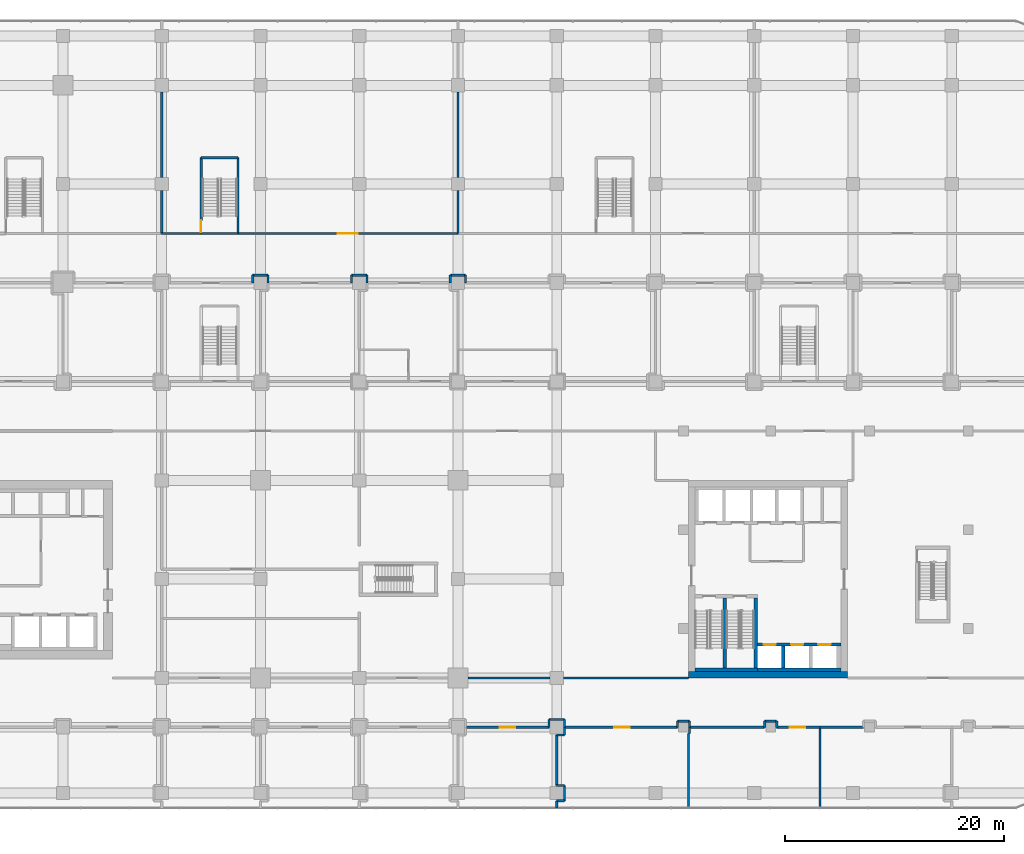
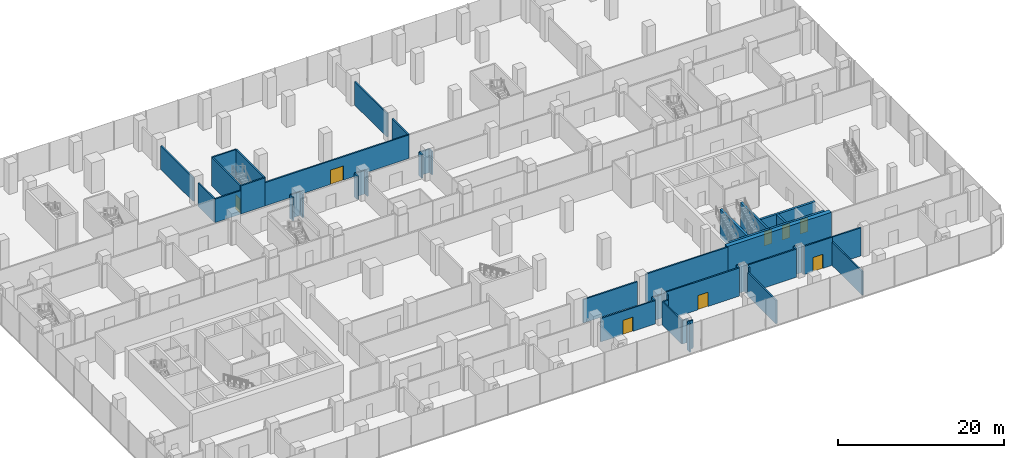
# One storey, part 33 of 43: 52 walls, 8 doors, 8 openings.
"""IFC4 building model written with IfcOpenShell, lengths in metres."""

from ifc_helpers import new_model, si_unit, direction, frame, frame_2d, origin, place, context, subcontext, project, spatial, rectangle, extrude, material, layer, layer_set, type_object, element, fill, save


model = new_model("IFC4")

# Units and contexts
model_context = context("Model", 3, precision=1e-05, world=origin(), true_north=direction((0.0, 1.0)))
body_context = subcontext(model_context, "Body", "Model", "MODEL_VIEW")
ifc_project = project(units=[si_unit("LENGTHUNIT", "METRE"), si_unit("AREAUNIT", "SQUARE_METRE"), si_unit("VOLUMEUNIT", "CUBIC_METRE"), si_unit("PLANEANGLEUNIT", "RADIAN"), si_unit("MASSUNIT", "GRAM", prefix="KILO")], contexts=[model_context])

# Site, building, storey
site_placement = place(None, origin())
site = spatial("IfcSite", under=ifc_project, at=site_placement, CompositionType="ELEMENT")
building_placement = place(site_placement, origin())
building = spatial("IfcBuilding", under=site, at=building_placement, Name="Plateau Cross Towers", CompositionType="ELEMENT")
storey_placement = place(building_placement, frame((0.0, 0.0, 12.800048828125)))
storey = spatial("IfcBuildingStorey", under=building, at=storey_placement, Name="L02", CompositionType="ELEMENT", Elevation=12.800048828125)

# Walls
ifc_material_1 = material(Name="Concrete C60/75", Category="concrete")
ifc_layer_1 = layer(ifc_material_1, 0.300048828125)
ifc_layer_set_1 = layer_set([ifc_layer_1], Name="Concrete C60/75")
wall_type_1 = type_object("IfcWallType", Name="Core shaft wall 300", PredefinedType="SHEAR", material=ifc_layer_set_1)
wall_1_placement = place(storey_placement, frame((75.60009765625, 0.75, 0.0), z_axis=(0.0, 0.0, 1.0), x_axis=(1.0, 0.0, 0.0)))
element("IfcWall", 1, at=wall_1_placement, inside=storey, type_object=wall_type_1, Name="B-sb-stS@L02", PredefinedType="SHEAR", context=body_context, shape_type="SweptSolid", body=[
    extrude(rectangle(XDim=5.699951171875, YDim=0.300048828125, at=frame_2d((2.85009765625, 0.0))), origin(), (0.0, 0.0, 1.0), 4.14990234375),
])
for number, where, z_axis, x_axis, name in (
    (2, (78.300048828125, 0.89990234375, 0.0), (0.0, 0.0, 1.0), (0.0, 1.0, 0.0), "B-sb-st1@L02"),
    (3, (81.14990234375, 0.89990234375, 0.0), (0.0, 0.0, 1.0), (0.0, 1.0, 0.0), "B-sb-st2@L02"),
):
    element("IfcWall", number, at=place(storey_placement, frame(where, z_axis=z_axis, x_axis=x_axis)), inside=storey, type_object=wall_type_1, Name=name, PredefinedType="SHEAR", context=body_context, shape_type="SweptSolid", body=[
        extrude(rectangle(XDim=6.400146484375, YDim=0.300048828125, at=frame_2d((3.2001953125, 0.0))), origin(), (0.0, 0.0, 1.0), 4.14990234375),
    ])
wall_2_placement = place(storey_placement, frame((81.300048828125, 0.75, 0.0), z_axis=(0.0, 0.0, 1.0), x_axis=(1.0, 0.0, 0.0)))
element("IfcWall", 4, at=wall_2_placement, inside=storey, type_object=wall_type_1, Name="B-sb-back@L02", PredefinedType="SHEAR", context=body_context, shape_type="SweptSolid", body=[
    extrude(rectangle(XDim=7.599853515625, YDim=0.300048828125, at=frame_2d((3.7998046875, 0.0))), origin(), (0.0, 0.0, 1.0), 4.14990234375),
])
wall_3_placement = place(storey_placement, frame((83.64990234375, 0.89990234375, 0.0), z_axis=(0.0, 0.0, 1.0), x_axis=(0.0, 1.0, 0.0)))
element("IfcWall", 5, at=wall_3_placement, inside=storey, type_object=wall_type_1, Name="B-sb-v1@L02", PredefinedType="SHEAR", context=body_context, shape_type="SweptSolid", body=[
    extrude(rectangle(XDim=2.0, YDim=0.300048828125, at=frame_2d((1.0, 0.0))), origin(), (0.0, 0.0, 1.0), 4.14990234375),
])

# Wall, openings, doors
wall_4_placement = place(storey_placement, frame((81.300048828125, 3.050048828125, 0.0), z_axis=(0.0, 0.0, 1.0), x_axis=(1.0, 0.0, 0.0)))
wall_4 = element("IfcWall", 6, at=wall_4_placement, inside=storey, type_object=wall_type_1, Name="B-sb-front@L02", PredefinedType="SHEAR", context=body_context, shape_type="SweptSolid", body=[
    extrude(rectangle(XDim=7.599853515625, YDim=0.300048828125, at=frame_2d((3.7998046875, 0.0))), origin(), (0.0, 0.0, 1.0), 4.14990234375),
])
opening_1_placement = place(wall_4_placement, frame((0.550048828125, 0.0, 0.0)))
opening_1 = element("IfcOpeningElement", 7, at=opening_1_placement, cuts=wall_4, Name="Opening LD", PredefinedType="OPENING", context=body_context, shape_type="SweptSolid", body=[
    extrude(rectangle(XDim=1.10009765625, YDim=2.10009765625, at=frame_2d((0.550048828125, 1.050048828125))), frame((0.0, 0.159912109375, 0.0), z_axis=(0.0, -1.0, 0.0), x_axis=(1.0, 0.0, 0.0)), (0.0, 0.0, 1.0), 0.320068359375),
])
opening_2_placement = place(wall_4_placement, frame((3.050048828125, 0.0, 0.0)))
opening_2 = element("IfcOpeningElement", 8, at=opening_2_placement, cuts=wall_4, Name="Opening LD", PredefinedType="OPENING", context=body_context, shape_type="SweptSolid", body=[
    extrude(rectangle(XDim=1.10009765625, YDim=2.10009765625, at=frame_2d((0.550048828125, 1.050048828125))), frame((0.0, 0.159912109375, 0.0), z_axis=(0.0, -1.0, 0.0), x_axis=(1.0, 0.0, 0.0)), (0.0, 0.0, 1.0), 0.320068359375),
])
opening_3_placement = place(wall_4_placement, frame((5.550048828125, 0.0, 0.0)))
opening_3 = element("IfcOpeningElement", 9, at=opening_3_placement, cuts=wall_4, Name="Opening LD", PredefinedType="OPENING", context=body_context, shape_type="SweptSolid", body=[
    extrude(rectangle(XDim=1.10009765625, YDim=2.10009765625, at=frame_2d((0.550048828125, 1.050048828125))), frame((0.0, 0.159912109375, 0.0), z_axis=(0.0, -1.0, 0.0), x_axis=(1.0, 0.0, 0.0)), (0.0, 0.0, 1.0), 0.320068359375),
])
ifc_material_2 = material(Name="Stainless steel, fire-resisting sliding leaves", Category="steel")
door_type_1 = type_object("IfcDoorType", Name="Lift landing door 1100", OperationType="NOTDEFINED", PredefinedType="DOOR", material=ifc_material_2)
door_1_placement = place(opening_1_placement, origin())
door_1 = element("IfcDoor", 10, at=door_1_placement, inside=storey, type_object=door_type_1, Name="Lift landing door LD", OperationType="DOUBLE_DOOR_SLIDING", OverallHeight=2.10009765625, OverallWidth=1.10009765625, PredefinedType="DOOR", context=body_context, shape_type="SweptSolid", body=[
    extrude(rectangle(XDim=1.10009765625, YDim=2.10009765625, at=frame_2d((0.550048828125, 1.050048828125))), frame((0.0, 0.02490234375, 0.0), z_axis=(0.0, -1.0, 0.0), x_axis=(1.0, 0.0, 0.0)), (0.0, 0.0, 1.0), 0.050048828125),
])
fill(opening_1, door_1)
door_2_placement = place(opening_2_placement, origin())
door_2 = element("IfcDoor", 11, at=door_2_placement, inside=storey, type_object=door_type_1, Name="Lift landing door LD", OperationType="DOUBLE_DOOR_SLIDING", OverallHeight=2.10009765625, OverallWidth=1.10009765625, PredefinedType="DOOR", context=body_context, shape_type="SweptSolid", body=[
    extrude(rectangle(XDim=1.10009765625, YDim=2.10009765625, at=frame_2d((0.550048828125, 1.050048828125))), frame((0.0, 0.02490234375, 0.0), z_axis=(0.0, -1.0, 0.0), x_axis=(1.0, 0.0, 0.0)), (0.0, 0.0, 1.0), 0.050048828125),
])
fill(opening_2, door_2)
door_3_placement = place(opening_3_placement, origin())
door_3 = element("IfcDoor", 12, at=door_3_placement, inside=storey, type_object=door_type_1, Name="Lift landing door LD", OperationType="DOUBLE_DOOR_SLIDING", OverallHeight=2.10009765625, OverallWidth=1.10009765625, PredefinedType="DOOR", context=body_context, shape_type="SweptSolid", body=[
    extrude(rectangle(XDim=1.10009765625, YDim=2.10009765625, at=frame_2d((0.550048828125, 1.050048828125))), frame((0.0, 0.02490234375, 0.0), z_axis=(0.0, -1.0, 0.0), x_axis=(1.0, 0.0, 0.0)), (0.0, 0.0, 1.0), 0.050048828125),
])
fill(opening_3, door_3)

# Walls
ifc_layer_2 = layer(ifc_material_1, 0.60009765625)
ifc_layer_set_2 = layer_set([ifc_layer_2], Name="Concrete C60/75")
wall_type_2 = type_object("IfcWallType", Name="Core shell wall 600", PredefinedType="SHEAR", material=ifc_layer_set_2)
wall_5_placement = place(storey_placement, frame((75.0, 0.300048828125, 0.0), z_axis=(0.0, 0.0, 1.0), x_axis=(1.0, 0.0, 0.0)))
element("IfcWall", 13, at=wall_5_placement, inside=storey, type_object=wall_type_2, Name="B-core-S@L02", PredefinedType="SHEAR", context=body_context, shape_type="SweptSolid", body=[
    extrude(rectangle(XDim=14.5, YDim=0.60009765625, at=frame_2d((7.25, 0.0))), origin(), (0.0, 0.0, 1.0), 4.14990234375),
])
ifc_material_3 = material(Name="Gypsum board on steel studs", Category="steel")
ifc_layer_3 = layer(ifc_material_3, 0.199951171875)
ifc_layer_set_3 = layer_set([ifc_layer_3], Name="Gypsum board on steel studs")
wall_type_3 = type_object("IfcWallType", Name="Podium partition 200", PredefinedType="PARTITIONING", material=ifc_layer_set_3)
wall_6_placement = place(storey_placement, frame((54.89990234375, 0.0, 0.0), z_axis=(0.0, 0.0, 1.0), x_axis=(1.0, 0.0, 0.0)))
element("IfcWall", 14, at=wall_6_placement, inside=storey, type_object=wall_type_3, Name="Partition wall", PredefinedType="PARTITIONING", context=body_context, shape_type="SweptSolid", body=[
    extrude(rectangle(XDim=7.5, YDim=0.199951171875, at=frame_2d((3.75, 0.0))), origin(), (0.0, 0.0, 1.0), 3.449951171875),
])
wall_7_placement = place(storey_placement, frame((63.60009765625, 0.0, 0.0), z_axis=(0.0, 0.0, 1.0), x_axis=(1.0, 0.0, 0.0)))
element("IfcWall", 15, at=wall_7_placement, inside=storey, type_object=wall_type_3, Name="Partition wall", PredefinedType="PARTITIONING", context=body_context, shape_type="SweptSolid", body=[
    extrude(rectangle(XDim=11.39990234375, YDim=0.199951171875, at=frame_2d((5.699951171875, 0.0))), origin(), (0.0, 0.0, 1.0), 4.14990234375),
])
wall_8_placement = place(storey_placement, frame((54.699951171875, 36.0, 0.0), z_axis=(0.0, 0.0, 1.0), x_axis=(0.0, 1.0, 0.0)))
element("IfcWall", 16, at=wall_8_placement, inside=storey, type_object=wall_type_3, Name="Partition wall", PredefinedType="PARTITIONING", context=body_context, shape_type="SweptSolid", body=[
    extrude(rectangle(XDim=0.699951171875, YDim=0.199951171875, at=frame_2d((0.35009765625, 0.0))), origin(), (0.0, 0.0, 1.0), 3.449951171875),
])
wall_9_placement = place(storey_placement, frame((54.699951171875, 36.699951171875, 0.0), z_axis=(0.0, 0.0, 1.0), x_axis=(-1.0, 0.0, 0.0)))
element("IfcWall", 17, at=wall_9_placement, inside=storey, type_object=wall_type_3, Name="Partition wall", PredefinedType="PARTITIONING", context=body_context, shape_type="SweptSolid", body=[
    extrude(rectangle(XDim=1.39990234375, YDim=0.199951171875, at=frame_2d((0.699951171875, 0.0))), origin(), (0.0, 0.0, 1.0), 3.449951171875),
])
wall_10_placement = place(storey_placement, frame((53.300048828125, 36.699951171875, 0.0), z_axis=(0.0, 0.0, 1.0), x_axis=(0.0, -1.0, 0.0)))
element("IfcWall", 18, at=wall_10_placement, inside=storey, type_object=wall_type_3, Name="Partition wall", PredefinedType="PARTITIONING", context=body_context, shape_type="SweptSolid", body=[
    extrude(rectangle(XDim=0.699951171875, YDim=0.199951171875, at=frame_2d((0.35009765625, 0.0))), origin(), (0.0, 0.0, 1.0), 3.449951171875),
])

# Wall, opening, door
wall_11_placement = place(storey_placement, frame((33.949951171875, 40.5, 0.0), z_axis=(0.0, 0.0, 1.0), x_axis=(1.0, 0.0, 0.0)))
wall_11 = element("IfcWall", 19, at=wall_11_placement, inside=storey, type_object=wall_type_3, Name="Partition wall", PredefinedType="PARTITIONING", context=body_context, shape_type="SweptSolid", body=[
    extrude(rectangle(XDim=20.050048828125, YDim=0.199951171875, at=frame_2d((10.02490234375, 0.0))), origin(), (0.0, 0.0, 1.0), 3.449951171875),
])
opening_4_placement = place(wall_11_placement, frame((9.10009765625, 0.0, 0.0)))
opening_4 = element("IfcOpeningElement", 20, at=opening_4_placement, cuts=wall_11, Name="Opening 02-38", PredefinedType="OPENING", context=body_context, shape_type="SweptSolid", body=[
    extrude(rectangle(XDim=1.800048828125, YDim=2.10009765625, at=frame_2d((0.89990234375, 1.050048828125))), frame((0.0, 0.10986328125, 0.0), z_axis=(0.0, -1.0, 0.0), x_axis=(1.0, 0.0, 0.0)), (0.0, 0.0, 1.0), 0.219970703125),
])
ifc_material_4 = material(Name="Aluminium frame, toughened glass", Category="aluminium")
door_type_2 = type_object("IfcDoorType", Name="Podium door pair 1800", OperationType="NOTDEFINED", PredefinedType="DOOR", material=ifc_material_4)
door_4_placement = place(opening_4_placement, origin())
door_4 = element("IfcDoor", 21, at=door_4_placement, inside=storey, type_object=door_type_2, Name="Door 02-38", OperationType="DOUBLE_DOOR_SINGLE_SWING", OverallHeight=2.10009765625, OverallWidth=1.800048828125, PredefinedType="DOOR", context=body_context, shape_type="SweptSolid", body=[
    extrude(rectangle(XDim=1.800048828125, YDim=2.10009765625, at=frame_2d((0.89990234375, 1.050048828125))), frame((0.0, 0.02490234375, 0.0), z_axis=(0.0, -1.0, 0.0), x_axis=(1.0, 0.0, 0.0)), (0.0, 0.0, 1.0), 0.050048828125),
])
fill(opening_4, door_4)

# Walls
wall_12_placement = place(storey_placement, frame((54.0, 53.39990234375, 0.0), z_axis=(0.0, 0.0, 1.0), x_axis=(0.0, -1.0, 0.0)))
element("IfcWall", 22, at=wall_12_placement, inside=storey, type_object=wall_type_3, Name="Partition wall", PredefinedType="PARTITIONING", context=body_context, shape_type="SweptSolid", body=[
    extrude(rectangle(XDim=7.7998046875, YDim=0.199951171875, at=frame_2d((3.89990234375, 0.0))), origin(), (0.0, 0.0, 1.0), 3.449951171875),
])
wall_13_placement = place(storey_placement, frame((54.0, 44.39990234375, 0.0), z_axis=(0.0, 0.0, 1.0), x_axis=(0.0, -1.0, 0.0)))
element("IfcWall", 23, at=wall_13_placement, inside=storey, type_object=wall_type_3, Name="Partition wall", PredefinedType="PARTITIONING", context=body_context, shape_type="SweptSolid", body=[
    extrude(rectangle(XDim=3.89990234375, YDim=0.199951171875, at=frame_2d((1.949951171875, 0.0))), origin(), (0.0, 0.0, 1.0), 3.449951171875),
])
wall_14_placement = place(storey_placement, frame((27.0, 53.39990234375, 0.0), z_axis=(0.0, 0.0, 1.0), x_axis=(0.0, -1.0, 0.0)))
element("IfcWall", 24, at=wall_14_placement, inside=storey, type_object=wall_type_3, Name="Partition wall", PredefinedType="PARTITIONING", context=body_context, shape_type="SweptSolid", body=[
    extrude(rectangle(XDim=7.7998046875, YDim=0.199951171875, at=frame_2d((3.89990234375, 0.0))), origin(), (0.0, 0.0, 1.0), 3.449951171875),
])
wall_15_placement = place(storey_placement, frame((27.0, 44.39990234375, 0.0), z_axis=(0.0, 0.0, 1.0), x_axis=(0.0, -1.0, 0.0)))
element("IfcWall", 25, at=wall_15_placement, inside=storey, type_object=wall_type_3, Name="Partition wall", PredefinedType="PARTITIONING", context=body_context, shape_type="SweptSolid", body=[
    extrude(rectangle(XDim=3.89990234375, YDim=0.199951171875, at=frame_2d((1.949951171875, 0.0))), origin(), (0.0, 0.0, 1.0), 3.449951171875),
])
wall_16_placement = place(storey_placement, frame((36.699951171875, 36.0, 0.0), z_axis=(0.0, 0.0, 1.0), x_axis=(0.0, 1.0, 0.0)))
element("IfcWall", 26, at=wall_16_placement, inside=storey, type_object=wall_type_3, Name="Partition wall", PredefinedType="PARTITIONING", context=body_context, shape_type="SweptSolid", body=[
    extrude(rectangle(XDim=0.699951171875, YDim=0.199951171875, at=frame_2d((0.35009765625, 0.0))), origin(), (0.0, 0.0, 1.0), 3.449951171875),
])
wall_17_placement = place(storey_placement, frame((36.699951171875, 36.699951171875, 0.0), z_axis=(0.0, 0.0, 1.0), x_axis=(-1.0, 0.0, 0.0)))
element("IfcWall", 27, at=wall_17_placement, inside=storey, type_object=wall_type_3, Name="Partition wall", PredefinedType="PARTITIONING", context=body_context, shape_type="SweptSolid", body=[
    extrude(rectangle(XDim=1.39990234375, YDim=0.199951171875, at=frame_2d((0.699951171875, 0.0))), origin(), (0.0, 0.0, 1.0), 3.449951171875),
])
wall_18_placement = place(storey_placement, frame((35.300048828125, 36.699951171875, 0.0), z_axis=(0.0, 0.0, 1.0), x_axis=(0.0, -1.0, 0.0)))
element("IfcWall", 28, at=wall_18_placement, inside=storey, type_object=wall_type_3, Name="Partition wall", PredefinedType="PARTITIONING", context=body_context, shape_type="SweptSolid", body=[
    extrude(rectangle(XDim=0.699951171875, YDim=0.199951171875, at=frame_2d((0.35009765625, 0.0))), origin(), (0.0, 0.0, 1.0), 3.449951171875),
])
wall_19_placement = place(storey_placement, frame((90.949951171875, -4.5, 0.0), z_axis=(0.0, 0.0, 1.0), x_axis=(-1.0, 0.0, 0.0)))
element("IfcWall", 29, at=wall_19_placement, inside=storey, type_object=wall_type_3, Name="Partition wall", PredefinedType="PARTITIONING", context=body_context, shape_type="SweptSolid", body=[
    extrude(rectangle(XDim=3.949951171875, YDim=0.199951171875, at=frame_2d((1.97509765625, 0.0))), origin(), (0.0, 0.0, 1.0), 4.14990234375),
])

# Wall, opening, door
wall_20_placement = place(storey_placement, frame((87.0, -4.5, 0.0), z_axis=(0.0, 0.0, 1.0), x_axis=(-1.0, 0.0, 0.0)))
wall_20 = element("IfcWall", 30, at=wall_20_placement, inside=storey, type_object=wall_type_3, Name="Partition wall", PredefinedType="PARTITIONING", context=body_context, shape_type="SweptSolid", body=[
    extrude(rectangle(XDim=3.949951171875, YDim=0.199951171875, at=frame_2d((1.97509765625, 0.0))), origin(), (0.0, 0.0, 1.0), 4.14990234375),
])
opening_5_placement = place(wall_20_placement, frame((1.35009765625, 0.0, 0.0)))
opening_5 = element("IfcOpeningElement", 31, at=opening_5_placement, cuts=wall_20, Name="Opening 02-15", PredefinedType="OPENING", context=body_context, shape_type="SweptSolid", body=[
    extrude(rectangle(XDim=1.39990234375, YDim=2.10009765625, at=frame_2d((0.699951171875, 1.050048828125))), frame((0.0, 0.10986328125, 0.0), z_axis=(0.0, -1.0, 0.0), x_axis=(1.0, 0.0, 0.0)), (0.0, 0.0, 1.0), 0.219970703125),
])
ifc_material_5 = material(Name="Timber, hospital grade leaf", Category="wood")
door_type_3 = type_object("IfcDoorType", Name="Clinic bed access door 1400x2100", OperationType="NOTDEFINED", PredefinedType="DOOR", material=ifc_material_5)
door_5_placement = place(opening_5_placement, origin())
door_5 = element("IfcDoor", 32, at=door_5_placement, inside=storey, type_object=door_type_3, Name="Door 02-15", OperationType="SINGLE_SWING_LEFT", OverallHeight=2.10009765625, OverallWidth=1.39990234375, PredefinedType="DOOR", context=body_context, shape_type="SweptSolid", body=[
    extrude(rectangle(XDim=1.39990234375, YDim=2.10009765625, at=frame_2d((0.699951171875, 1.050048828125))), frame((0.0, 0.02490234375, 0.0), z_axis=(0.0, -1.0, 0.0), x_axis=(1.0, 0.0, 0.0)), (0.0, 0.0, 1.0), 0.050048828125),
])
fill(opening_5, door_5)

# Walls
wall_21_placement = place(storey_placement, frame((83.050048828125, -4.5, 0.0), z_axis=(0.0, 0.0, 1.0), x_axis=(0.0, 1.0, 0.0)))
element("IfcWall", 33, at=wall_21_placement, inside=storey, type_object=wall_type_3, Name="Partition wall", PredefinedType="PARTITIONING", context=body_context, shape_type="SweptSolid", body=[
    extrude(rectangle(XDim=0.550048828125, YDim=0.199951171875, at=frame_2d((0.27490234375, 0.0))), origin(), (0.0, 0.0, 1.0), 4.14990234375),
])
wall_22_placement = place(storey_placement, frame((83.050048828125, -3.949951171875, 0.0), z_axis=(0.0, 0.0, 1.0), x_axis=(-1.0, 0.0, 0.0)))
element("IfcWall", 34, at=wall_22_placement, inside=storey, type_object=wall_type_3, Name="Partition wall", PredefinedType="PARTITIONING", context=body_context, shape_type="SweptSolid", body=[
    extrude(rectangle(XDim=1.10009765625, YDim=0.199951171875, at=frame_2d((0.550048828125, 0.0))), origin(), (0.0, 0.0, 1.0), 4.14990234375),
])
wall_23_placement = place(storey_placement, frame((81.949951171875, -3.949951171875, 0.0), z_axis=(0.0, 0.0, 1.0), x_axis=(0.0, -1.0, 0.0)))
element("IfcWall", 35, at=wall_23_placement, inside=storey, type_object=wall_type_3, Name="Partition wall", PredefinedType="PARTITIONING", context=body_context, shape_type="SweptSolid", body=[
    extrude(rectangle(XDim=0.550048828125, YDim=0.199951171875, at=frame_2d((0.27490234375, 0.0))), origin(), (0.0, 0.0, 1.0), 4.14990234375),
])
wall_24_placement = place(storey_placement, frame((81.949951171875, -4.5, 0.0), z_axis=(0.0, 0.0, 1.0), x_axis=(-1.0, 0.0, 0.0)))
element("IfcWall", 36, at=wall_24_placement, inside=storey, type_object=wall_type_3, Name="Partition wall", PredefinedType="PARTITIONING", context=body_context, shape_type="SweptSolid", body=[
    extrude(rectangle(XDim=6.849853515625, YDim=0.199951171875, at=frame_2d((3.4248046875, 0.0))), origin(), (0.0, 0.0, 1.0), 4.14990234375),
])
wall_25_placement = place(storey_placement, frame((75.10009765625, -4.5, 0.0), z_axis=(0.0, 0.0, 1.0), x_axis=(0.0, 1.0, 0.0)))
element("IfcWall", 37, at=wall_25_placement, inside=storey, type_object=wall_type_3, Name="Partition wall", PredefinedType="PARTITIONING", context=body_context, shape_type="SweptSolid", body=[
    extrude(rectangle(XDim=0.550048828125, YDim=0.199951171875, at=frame_2d((0.27490234375, 0.0))), origin(), (0.0, 0.0, 1.0), 4.14990234375),
])
wall_26_placement = place(storey_placement, frame((75.10009765625, -3.949951171875, 0.0), z_axis=(0.0, 0.0, 1.0), x_axis=(-1.0, 0.0, 0.0)))
element("IfcWall", 38, at=wall_26_placement, inside=storey, type_object=wall_type_3, Name="Partition wall", PredefinedType="PARTITIONING", context=body_context, shape_type="SweptSolid", body=[
    extrude(rectangle(XDim=1.10009765625, YDim=0.199951171875, at=frame_2d((0.550048828125, 0.0))), origin(), (0.0, 0.0, 1.0), 4.14990234375),
])
wall_27_placement = place(storey_placement, frame((74.0, -3.949951171875, 0.0), z_axis=(0.0, 0.0, 1.0), x_axis=(0.0, -1.0, 0.0)))
element("IfcWall", 39, at=wall_27_placement, inside=storey, type_object=wall_type_3, Name="Partition wall", PredefinedType="PARTITIONING", context=body_context, shape_type="SweptSolid", body=[
    extrude(rectangle(XDim=0.550048828125, YDim=0.199951171875, at=frame_2d((0.27490234375, 0.0))), origin(), (0.0, 0.0, 1.0), 4.14990234375),
])

# Wall, opening, door
wall_28_placement = place(storey_placement, frame((74.0, -4.5, 0.0), z_axis=(0.0, 0.0, 1.0), x_axis=(-1.0, 0.0, 0.0)))
wall_28 = element("IfcWall", 40, at=wall_28_placement, inside=storey, type_object=wall_type_3, Name="Partition wall", PredefinedType="PARTITIONING", context=body_context, shape_type="SweptSolid", body=[
    extrude(rectangle(XDim=10.300048828125, YDim=0.199951171875, at=frame_2d((5.14990234375, 0.0))), origin(), (0.0, 0.0, 1.0), 4.14990234375),
])
opening_6_placement = place(wall_28_placement, frame((4.35009765625, 0.0, 0.0)))
opening_6 = element("IfcOpeningElement", 41, at=opening_6_placement, cuts=wall_28, Name="Opening 02-14", PredefinedType="OPENING", context=body_context, shape_type="SweptSolid", body=[
    extrude(rectangle(XDim=1.39990234375, YDim=2.10009765625, at=frame_2d((0.699951171875, 1.050048828125))), frame((0.0, 0.10986328125, 0.0), z_axis=(0.0, -1.0, 0.0), x_axis=(1.0, 0.0, 0.0)), (0.0, 0.0, 1.0), 0.219970703125),
])
door_6_placement = place(opening_6_placement, origin())
door_6 = element("IfcDoor", 42, at=door_6_placement, inside=storey, type_object=door_type_3, Name="Door 02-14", OperationType="SINGLE_SWING_LEFT", OverallHeight=2.10009765625, OverallWidth=1.39990234375, PredefinedType="DOOR", context=body_context, shape_type="SweptSolid", body=[
    extrude(rectangle(XDim=1.39990234375, YDim=2.10009765625, at=frame_2d((0.699951171875, 1.050048828125))), frame((0.0, 0.02490234375, 0.0), z_axis=(0.0, -1.0, 0.0), x_axis=(1.0, 0.0, 0.0)), (0.0, 0.0, 1.0), 0.050048828125),
])
fill(opening_6, door_6)

# Walls
wall_29_placement = place(storey_placement, frame((45.699951171875, 36.0, 0.0), z_axis=(0.0, 0.0, 1.0), x_axis=(0.0, 1.0, 0.0)))
element("IfcWall", 43, at=wall_29_placement, inside=storey, type_object=wall_type_3, Name="Partition wall", PredefinedType="PARTITIONING", context=body_context, shape_type="SweptSolid", body=[
    extrude(rectangle(XDim=0.699951171875, YDim=0.199951171875, at=frame_2d((0.35009765625, 0.0))), origin(), (0.0, 0.0, 1.0), 3.449951171875),
])
wall_30_placement = place(storey_placement, frame((45.699951171875, 36.699951171875, 0.0), z_axis=(0.0, 0.0, 1.0), x_axis=(-1.0, 0.0, 0.0)))
element("IfcWall", 44, at=wall_30_placement, inside=storey, type_object=wall_type_3, Name="Partition wall", PredefinedType="PARTITIONING", context=body_context, shape_type="SweptSolid", body=[
    extrude(rectangle(XDim=1.39990234375, YDim=0.199951171875, at=frame_2d((0.699951171875, 0.0))), origin(), (0.0, 0.0, 1.0), 3.449951171875),
])
wall_31_placement = place(storey_placement, frame((44.300048828125, 36.699951171875, 0.0), z_axis=(0.0, 0.0, 1.0), x_axis=(0.0, -1.0, 0.0)))
element("IfcWall", 45, at=wall_31_placement, inside=storey, type_object=wall_type_3, Name="Partition wall", PredefinedType="PARTITIONING", context=body_context, shape_type="SweptSolid", body=[
    extrude(rectangle(XDim=0.699951171875, YDim=0.199951171875, at=frame_2d((0.35009765625, 0.0))), origin(), (0.0, 0.0, 1.0), 3.449951171875),
])
wall_32_placement = place(storey_placement, frame((63.699951171875, -4.5, 0.0), z_axis=(0.0, 0.0, 1.0), x_axis=(0.0, 1.0, 0.0)))
element("IfcWall", 46, at=wall_32_placement, inside=storey, type_object=wall_type_3, Name="Partition wall", PredefinedType="PARTITIONING", context=body_context, shape_type="SweptSolid", body=[
    extrude(rectangle(XDim=0.699951171875, YDim=0.199951171875, at=frame_2d((0.35009765625, 0.0))), origin(), (0.0, 0.0, 1.0), 4.14990234375),
])
wall_33_placement = place(storey_placement, frame((63.699951171875, -3.800048828125, 0.0), z_axis=(0.0, 0.0, 1.0), x_axis=(-1.0, 0.0, 0.0)))
element("IfcWall", 47, at=wall_33_placement, inside=storey, type_object=wall_type_3, Name="Partition wall", PredefinedType="PARTITIONING", context=body_context, shape_type="SweptSolid", body=[
    extrude(rectangle(XDim=1.39990234375, YDim=0.199951171875, at=frame_2d((0.699951171875, 0.0))), origin(), (0.0, 0.0, 1.0), 3.449951171875),
])
wall_34_placement = place(storey_placement, frame((62.300048828125, -3.800048828125, 0.0), z_axis=(0.0, 0.0, 1.0), x_axis=(0.0, -1.0, 0.0)))
element("IfcWall", 48, at=wall_34_placement, inside=storey, type_object=wall_type_3, Name="Partition wall", PredefinedType="PARTITIONING", context=body_context, shape_type="SweptSolid", body=[
    extrude(rectangle(XDim=0.699951171875, YDim=0.199951171875, at=frame_2d((0.35009765625, 0.0))), origin(), (0.0, 0.0, 1.0), 3.449951171875),
])

# Wall, opening, door
wall_35_placement = place(storey_placement, frame((62.300048828125, -4.5, 0.0), z_axis=(0.0, 0.0, 1.0), x_axis=(-1.0, 0.0, 0.0)))
wall_35 = element("IfcWall", 49, at=wall_35_placement, inside=storey, type_object=wall_type_3, Name="Partition wall", PredefinedType="PARTITIONING", context=body_context, shape_type="SweptSolid", body=[
    extrude(rectangle(XDim=7.60009765625, YDim=0.199951171875, at=frame_2d((3.800048828125, 0.0))), origin(), (0.0, 0.0, 1.0), 3.449951171875),
])
opening_7_placement = place(wall_35_placement, frame((3.10009765625, 0.0, 0.0)))
opening_7 = element("IfcOpeningElement", 50, at=opening_7_placement, cuts=wall_35, Name="Opening 02-13", PredefinedType="OPENING", context=body_context, shape_type="SweptSolid", body=[
    extrude(rectangle(XDim=1.39990234375, YDim=2.10009765625, at=frame_2d((0.699951171875, 1.050048828125))), frame((0.0, 0.10986328125, 0.0), z_axis=(0.0, -1.0, 0.0), x_axis=(1.0, 0.0, 0.0)), (0.0, 0.0, 1.0), 0.219970703125),
])
door_7_placement = place(opening_7_placement, origin())
door_7 = element("IfcDoor", 51, at=door_7_placement, inside=storey, type_object=door_type_3, Name="Door 02-13", OperationType="SINGLE_SWING_LEFT", OverallHeight=2.10009765625, OverallWidth=1.39990234375, PredefinedType="DOOR", context=body_context, shape_type="SweptSolid", body=[
    extrude(rectangle(XDim=1.39990234375, YDim=2.10009765625, at=frame_2d((0.699951171875, 1.050048828125))), frame((0.0, 0.02490234375, 0.0), z_axis=(0.0, -1.0, 0.0), x_axis=(1.0, 0.0, 0.0)), (0.0, 0.0, 1.0), 0.050048828125),
])
fill(opening_7, door_7)

# Walls
wall_36_placement = place(storey_placement, frame((63.699951171875, -4.5, 0.0), z_axis=(0.0, 0.0, 1.0), x_axis=(0.0, -1.0, 0.0)))
element("IfcWall", 52, at=wall_36_placement, inside=storey, type_object=wall_type_3, Name="Partition wall", PredefinedType="PARTITIONING", context=body_context, shape_type="SweptSolid", body=[
    extrude(rectangle(XDim=0.699951171875, YDim=0.199951171875, at=frame_2d((0.35009765625, 0.0))), origin(), (0.0, 0.0, 1.0), 4.14990234375),
])
wall_37_placement = place(storey_placement, frame((63.699951171875, -5.199951171875, 0.0), z_axis=(0.0, 0.0, 1.0), x_axis=(-1.0, 0.0, 0.0)))
element("IfcWall", 53, at=wall_37_placement, inside=storey, type_object=wall_type_3, Name="Partition wall", PredefinedType="PARTITIONING", context=body_context, shape_type="SweptSolid", body=[
    extrude(rectangle(XDim=0.699951171875, YDim=0.199951171875, at=frame_2d((0.35009765625, 0.0))), origin(), (0.0, 0.0, 1.0), 3.449951171875),
])
wall_38_placement = place(storey_placement, frame((63.0, -5.199951171875, 0.0), z_axis=(0.0, 0.0, 1.0), x_axis=(0.0, -1.0, 0.0)))
element("IfcWall", 54, at=wall_38_placement, inside=storey, type_object=wall_type_3, Name="Partition wall", PredefinedType="PARTITIONING", context=body_context, shape_type="SweptSolid", body=[
    extrude(rectangle(XDim=4.60009765625, YDim=0.199951171875, at=frame_2d((2.300048828125, 0.0))), origin(), (0.0, 0.0, 1.0), 3.449951171875),
])
wall_39_placement = place(storey_placement, frame((63.0, -9.800048828125, 0.0), z_axis=(0.0, 0.0, 1.0), x_axis=(1.0, 0.0, 0.0)))
element("IfcWall", 55, at=wall_39_placement, inside=storey, type_object=wall_type_3, Name="Partition wall", PredefinedType="PARTITIONING", context=body_context, shape_type="SweptSolid", body=[
    extrude(rectangle(XDim=0.699951171875, YDim=0.199951171875, at=frame_2d((0.35009765625, 0.0))), origin(), (0.0, 0.0, 1.0), 3.449951171875),
])
wall_40_placement = place(storey_placement, frame((63.699951171875, -9.800048828125, 0.0), z_axis=(0.0, 0.0, 1.0), x_axis=(0.0, -1.0, 0.0)))
element("IfcWall", 56, at=wall_40_placement, inside=storey, type_object=wall_type_3, Name="Partition wall", PredefinedType="PARTITIONING", context=body_context, shape_type="SweptSolid", body=[
    extrude(rectangle(XDim=1.39990234375, YDim=0.199951171875, at=frame_2d((0.699951171875, 0.0))), origin(), (0.0, 0.0, 1.0), 3.449951171875),
])
wall_41_placement = place(storey_placement, frame((63.699951171875, -11.199951171875, 0.0), z_axis=(0.0, 0.0, 1.0), x_axis=(-1.0, 0.0, 0.0)))
element("IfcWall", 57, at=wall_41_placement, inside=storey, type_object=wall_type_3, Name="Partition wall", PredefinedType="PARTITIONING", context=body_context, shape_type="SweptSolid", body=[
    extrude(rectangle(XDim=0.699951171875, YDim=0.199951171875, at=frame_2d((0.35009765625, 0.0))), origin(), (0.0, 0.0, 1.0), 4.14990234375),
])
wall_42_placement = place(storey_placement, frame((63.0, -11.199951171875, 0.0), z_axis=(0.0, 0.0, 1.0), x_axis=(0.0, -1.0, 0.0)))
element("IfcWall", 58, at=wall_42_placement, inside=storey, type_object=wall_type_3, Name="Partition wall", PredefinedType="PARTITIONING", context=body_context, shape_type="SweptSolid", body=[
    extrude(rectangle(XDim=0.650146484375, YDim=0.199951171875, at=frame_2d((0.3251953125, 0.0))), origin(), (0.0, 0.0, 1.0), 4.14990234375),
])
wall_43_placement = place(storey_placement, frame((75.10009765625, -4.5, 0.0), z_axis=(0.0, 0.0, 1.0), x_axis=(0.0, -1.0, 0.0)))
element("IfcWall", 59, at=wall_43_placement, inside=storey, type_object=wall_type_3, Name="Partition wall", PredefinedType="PARTITIONING", context=body_context, shape_type="SweptSolid", body=[
    extrude(rectangle(XDim=0.550048828125, YDim=0.199951171875, at=frame_2d((0.27490234375, 0.0))), origin(), (0.0, 0.0, 1.0), 4.14990234375),
])
wall_44_placement = place(storey_placement, frame((75.0, -5.050048828125, 0.0), z_axis=(0.0, 0.0, 1.0), x_axis=(0.0, -1.0, 0.0)))
element("IfcWall", 60, at=wall_44_placement, inside=storey, type_object=wall_type_3, Name="Partition wall", PredefinedType="PARTITIONING", context=body_context, shape_type="SweptSolid", body=[
    extrude(rectangle(XDim=6.800048828125, YDim=0.199951171875, at=frame_2d((3.39990234375, 0.0))), origin(), (0.0, 0.0, 1.0), 3.449951171875),
])
wall_45_placement = place(storey_placement, frame((87.0, -4.60009765625, 0.0), z_axis=(0.0, 0.0, 1.0), x_axis=(0.0, -1.0, 0.0)))
element("IfcWall", 61, at=wall_45_placement, inside=storey, type_object=wall_type_3, Name="Partition wall", PredefinedType="PARTITIONING", context=body_context, shape_type="SweptSolid", body=[
    extrude(rectangle(XDim=7.25, YDim=0.199951171875, at=frame_2d((3.625, 0.0))), origin(), (0.0, 0.0, 1.0), 3.449951171875),
])
wall_46_placement = place(storey_placement, frame((27.0, 40.5, 0.0), z_axis=(0.0, 0.0, 1.0), x_axis=(1.0, 0.0, 0.0)))
element("IfcWall", 62, at=wall_46_placement, inside=storey, type_object=wall_type_3, Name="Partition wall", PredefinedType="PARTITIONING", context=body_context, shape_type="SweptSolid", body=[
    extrude(rectangle(XDim=3.60009765625, YDim=0.199951171875, at=frame_2d((1.800048828125, 0.0))), origin(), (0.0, 0.0, 1.0), 3.449951171875),
])

# Wall, opening, door
ifc_material_6 = material(Name="Fire-rated plasterboard shaft wall system")
ifc_layer_4 = layer(ifc_material_6, 0.199951171875)
ifc_layer_set_4 = layer_set([ifc_layer_4], Name="Fire-rated plasterboard shaft wall system")
wall_type_4 = type_object("IfcWallType", Name="Podium stair shaft wall 200", PredefinedType="PARTITIONING", material=ifc_layer_set_4)
wall_47_placement = place(storey_placement, frame((30.60009765625, 40.5, 0.0), z_axis=(0.0, 0.0, 1.0), x_axis=(0.0, 1.0, 0.0)))
wall_47 = element("IfcWall", 63, at=wall_47_placement, inside=storey, type_object=wall_type_4, Name="Partition wall", PredefinedType="PARTITIONING", context=body_context, shape_type="SweptSolid", body=[
    extrude(rectangle(XDim=6.89990234375, YDim=0.199951171875, at=frame_2d((3.449951171875, 0.0))), origin(), (0.0, 0.0, 1.0), 4.14990234375),
])
opening_8_placement = place(wall_47_placement, frame((0.10009765625, 0.0, 0.0)))
opening_8 = element("IfcOpeningElement", 64, at=opening_8_placement, cuts=wall_47, Name="Opening 02-02", PredefinedType="OPENING", context=body_context, shape_type="SweptSolid", body=[
    extrude(rectangle(XDim=1.10009765625, YDim=2.10009765625, at=frame_2d((0.550048828125, 1.050048828125))), frame((0.0, 0.10986328125, 0.0), z_axis=(0.0, -1.0, 0.0), x_axis=(1.0, 0.0, 0.0)), (0.0, 0.0, 1.0), 0.219970703125),
])
ifc_material_7 = material(Name="Steel, fire-resisting leaf", Category="steel")
door_type_4 = type_object("IfcDoorType", Name="Podium stair door 1100", OperationType="NOTDEFINED", PredefinedType="DOOR", material=ifc_material_7)
door_8_placement = place(opening_8_placement, origin())
door_8 = element("IfcDoor", 65, at=door_8_placement, inside=storey, type_object=door_type_4, Name="Door 02-02", OperationType="SINGLE_SWING_LEFT", OverallHeight=2.10009765625, OverallWidth=1.10009765625, PredefinedType="DOOR", context=body_context, shape_type="SweptSolid", body=[
    extrude(rectangle(XDim=1.10009765625, YDim=2.10009765625, at=frame_2d((0.550048828125, 1.050048828125))), frame((0.0, 0.02490234375, 0.0), z_axis=(0.0, -1.0, 0.0), x_axis=(1.0, 0.0, 0.0)), (0.0, 0.0, 1.0), 0.050048828125),
])
fill(opening_8, door_8)

# Walls
wall_48_placement = place(storey_placement, frame((30.60009765625, 47.39990234375, 0.0), z_axis=(0.0, 0.0, 1.0), x_axis=(1.0, 0.0, 0.0)))
element("IfcWall", 66, at=wall_48_placement, inside=storey, type_object=wall_type_4, Name="Partition wall", PredefinedType="PARTITIONING", context=body_context, shape_type="SweptSolid", body=[
    extrude(rectangle(XDim=3.349853515625, YDim=0.199951171875, at=frame_2d((1.6748046875, 0.0))), origin(), (0.0, 0.0, 1.0), 4.14990234375),
])
wall_49_placement = place(storey_placement, frame((33.949951171875, 47.39990234375, 0.0), z_axis=(0.0, 0.0, 1.0), x_axis=(0.0, -1.0, 0.0)))
element("IfcWall", 67, at=wall_49_placement, inside=storey, type_object=wall_type_4, Name="Partition wall", PredefinedType="PARTITIONING", context=body_context, shape_type="SweptSolid", body=[
    extrude(rectangle(XDim=6.89990234375, YDim=0.199951171875, at=frame_2d((3.449951171875, 0.0))), origin(), (0.0, 0.0, 1.0), 4.14990234375),
])
wall_50_placement = place(storey_placement, frame((33.949951171875, 40.5, 0.0), z_axis=(0.0, 0.0, 1.0), x_axis=(-1.0, 0.0, 0.0)))
element("IfcWall", 68, at=wall_50_placement, inside=storey, type_object=wall_type_4, Name="Partition wall", PredefinedType="PARTITIONING", context=body_context, shape_type="SweptSolid", body=[
    extrude(rectangle(XDim=3.349853515625, YDim=0.199951171875, at=frame_2d((1.6748046875, 0.0))), origin(), (0.0, 0.0, 1.0), 4.14990234375),
])

save(model, "model.ifc")
